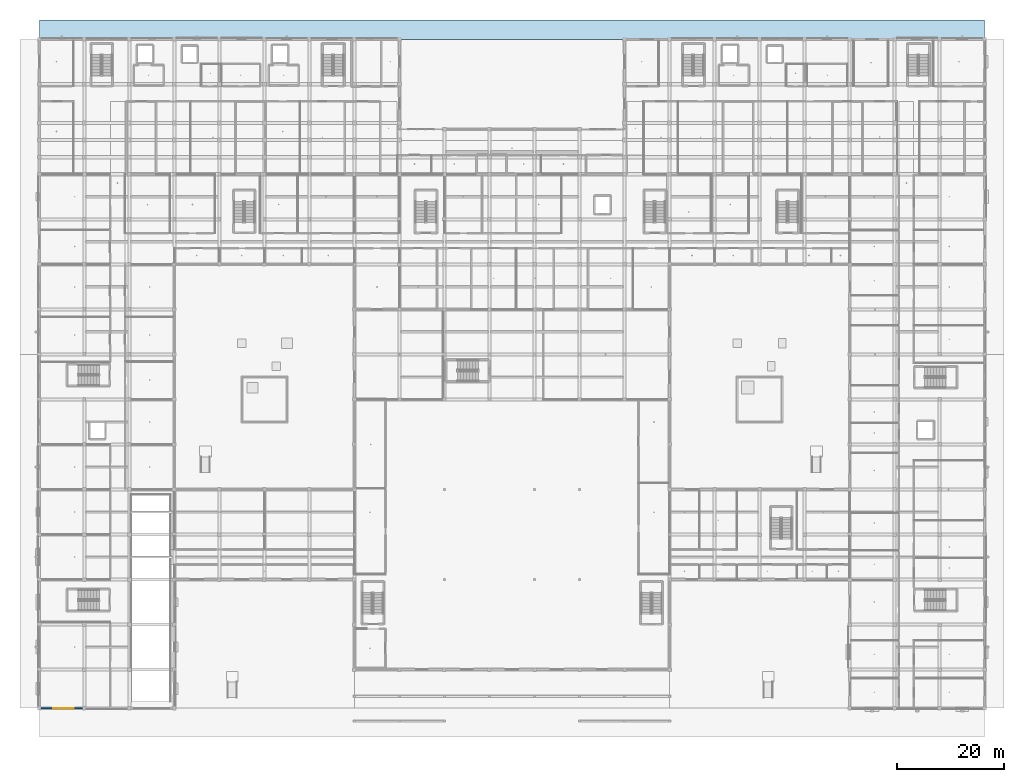
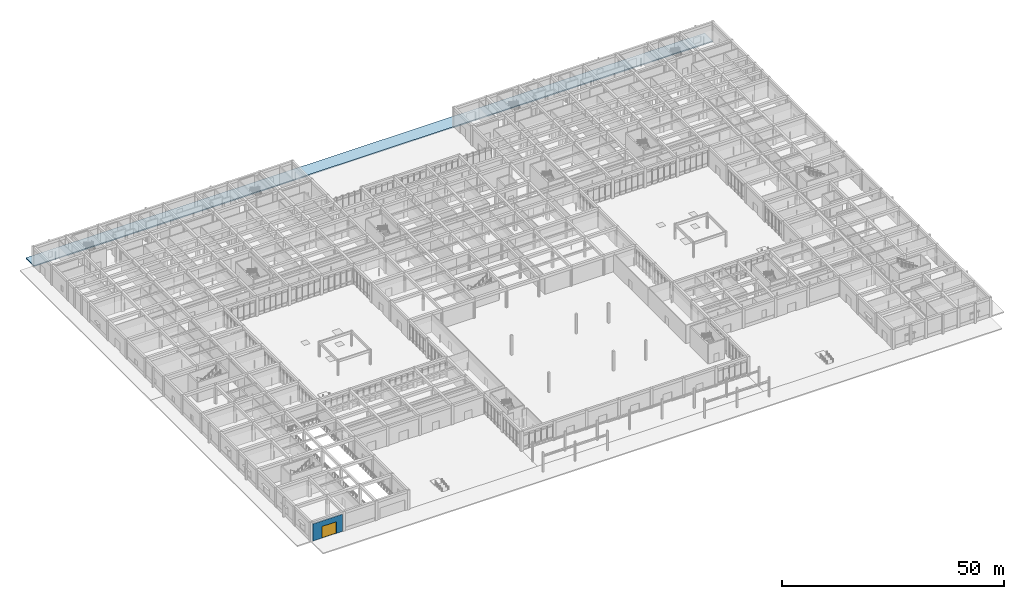
# One storey, part 60 of 167: 1 door, 1 slab, 1 wall, 1 opening.
"""IFC4 building model written with IfcOpenShell, lengths in metres."""

from ifc_helpers import new_model, si_unit, direction, frame, frame_2d, origin, place, context, subcontext, project, spatial, polyline, rectangle, outline, extrude, material, layer, layer_set, type_object, element, fill, save


model = new_model("IFC4")

# Units and contexts
model_context = context("Model", 3, precision=1e-05, world=origin(), true_north=direction((0.0, 1.0)))
body_context = subcontext(model_context, "Body", "Model", "MODEL_VIEW")
ifc_project = project(units=[si_unit("LENGTHUNIT", "METRE"), si_unit("AREAUNIT", "SQUARE_METRE"), si_unit("VOLUMEUNIT", "CUBIC_METRE"), si_unit("PLANEANGLEUNIT", "RADIAN"), si_unit("MASSUNIT", "GRAM", prefix="KILO")], contexts=[model_context])

# Site, building, storey
site_placement = place(None, origin())
site = spatial("IfcSite", under=ifc_project, at=site_placement, CompositionType="ELEMENT")
building_placement = place(site_placement, origin())
building = spatial("IfcBuilding", under=site, at=building_placement, Name="Varncliffe General Hospital", CompositionType="ELEMENT")
storey_placement = place(building_placement, origin())
storey = spatial("IfcBuildingStorey", under=building, at=storey_placement, Name="L00", CompositionType="ELEMENT", Elevation=0.0)

# Slab
ifc_material_1 = material(Name="Concrete C35/45 (CSA A23.1 35 MPa)", Category="concrete")
ifc_layer_1 = layer(ifc_material_1, 0.300048828125)
ifc_layer_set_1 = layer_set([ifc_layer_1], Name="Concrete C35/45 (CSA A23.1 35 MPa)")
slab_type = type_object("IfcSlabType", Name="Floor Slab SL54 (Ext 300mm)", PredefinedType="FLOOR", material=ifc_layer_set_1)
slab_placement = place(storey_placement, frame((0.0, 0.0, -0.300048828125)))
element("IfcSlab", 1, at=slab_placement, inside=storey, type_object=slab_type, Name="L00 North Garden Perimeter Exit Walkway", PredefinedType="FLOOR", context=body_context, shape_type="SweptSolid", body=[
    extrude(outline(polyline([(0.0, 124.800048828125), (176.39990234375, 124.800048828125), (176.39990234375, 128.39990234375), (0.0, 128.39990234375), (0.0, 124.800048828125)])), origin(), (0.0, 0.0, 1.0), 0.300048828125),
])

# Wall, opening, door
ifc_material_2 = material(Name="Precast concrete C40/50 with insulated cream lime-cement stucco", Category="concrete")
ifc_layer_2 = layer(ifc_material_2, 0.330078125)
ifc_layer_set_2 = layer_set([ifc_layer_2], Name="Precast concrete C40/50 with insulated cream lime-cement stucco")
wall_type = type_object("IfcWallType", Name="Exterior Insulated Stucco Wall EW33 (330mm)", PredefinedType="SOLIDWALL", material=ifc_layer_set_2)
wall_placement = place(storey_placement, frame((8.076904296875, 0.0, 0.0), z_axis=(0.0, 0.0, 1.0), x_axis=(-1.0, 0.0, 0.0)))
wall = element("IfcWall", 2, at=wall_placement, inside=storey, type_object=wall_type, Name="L00 Exterior Stucco Wall EW33-76", PredefinedType="SOLIDWALL", context=body_context, shape_type="SweptSolid", body=[
    extrude(rectangle(XDim=7.75390625, YDim=0.330078125, at=frame_2d((3.876953125, 0.0))), origin(), (0.0, 0.0, 1.0), 4.679931640625),
])
opening_placement = place(wall_placement, frame((1.626953125, 0.0, 0.0)))
opening = element("IfcOpeningElement", 3, at=opening_placement, cuts=wall, Name="Opening VG51", PredefinedType="OPENING", context=body_context, shape_type="SweptSolid", body=[
    extrude(rectangle(XDim=3.800048828125, YDim=3.199951171875, at=frame_2d((1.89990234375, 1.60009765625))), frame((0.0, 0.175048828125, 0.0), z_axis=(0.0, -1.0, 0.0), x_axis=(1.0, 0.0, 0.0)), (0.0, 0.0, 1.0), 0.35009765625),
])
ifc_material_3 = material(Name="Insulated motorized dark bronze bi-parting vehicle gate", Category="aluminium")
door_type = type_object("IfcDoorType", Name="Exterior Vehicle Gate VG51 (3800x3200)", OperationType="DOUBLE_DOOR_SLIDING", PredefinedType="GATE", material=ifc_material_3)
door_placement = place(opening_placement, origin())
door = element("IfcDoor", 4, at=door_placement, inside=storey, type_object=door_type, Name="Vehicle Gate Ambulance Bay Portal 27", OperationType="DOUBLE_DOOR_SLIDING", OverallHeight=3.199951171875, OverallWidth=3.800048828125, PredefinedType="GATE", context=body_context, shape_type="SweptSolid", body=[
    extrude(rectangle(XDim=3.800048828125, YDim=3.199951171875, at=frame_2d((1.89990234375, 1.60009765625))), frame((0.0, 0.02490234375, 0.0), z_axis=(0.0, -1.0, 0.0), x_axis=(1.0, 0.0, 0.0)), (0.0, 0.0, 1.0), 0.050048828125),
])
fill(opening, door)

save(model, "model.ifc")
